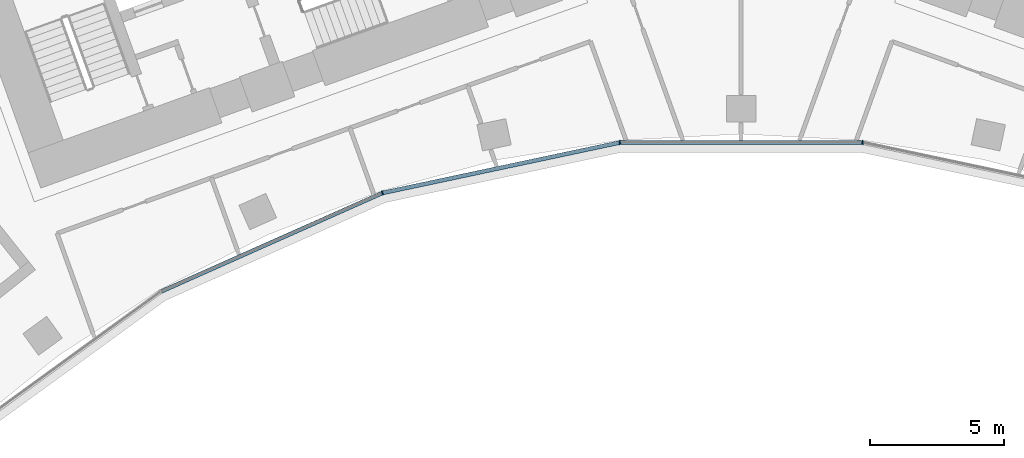
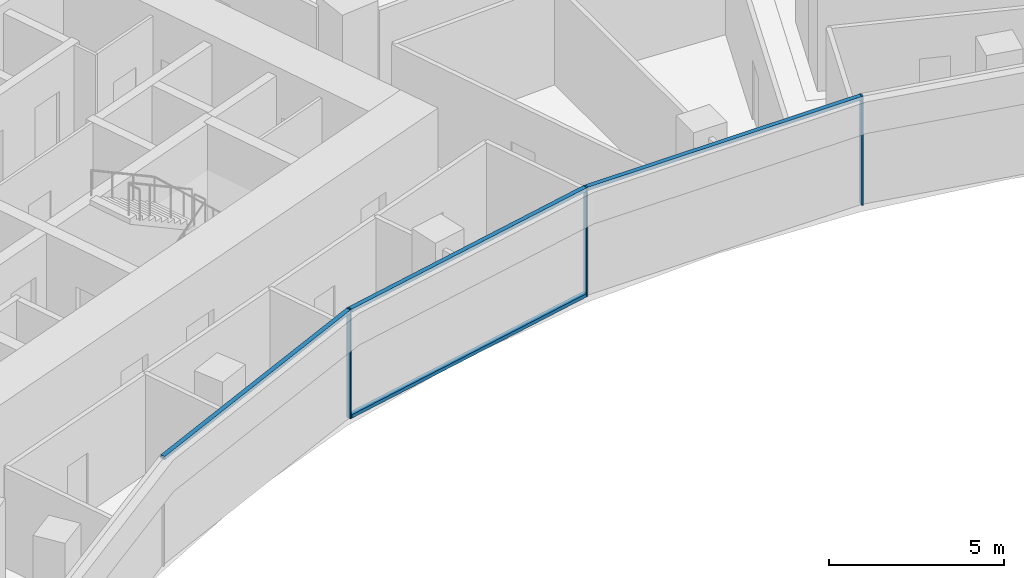
# One storey, part 5 of 22: 7 members, 1 element without a shape of its own.
"""IFC4 building model written with IfcOpenShell, lengths in metres."""

from ifc_helpers import new_model, si_unit, direction, frame, origin, origin_2d, place, context, subcontext, project, spatial, rectangle, extrude, material, layer, layer_set, material_profile, profile_set, type_object, element, aggregate, save


model = new_model("IFC4")

# Units and contexts
model_context = context("Model", 3, precision=1e-05, world=origin(), true_north=direction((0.0, 1.0)))
body_context = subcontext(model_context, "Body", "Model", "MODEL_VIEW")
ifc_project = project(units=[si_unit("LENGTHUNIT", "METRE"), si_unit("AREAUNIT", "SQUARE_METRE"), si_unit("VOLUMEUNIT", "CUBIC_METRE"), si_unit("PLANEANGLEUNIT", "RADIAN"), si_unit("MASSUNIT", "GRAM", prefix="KILO")], contexts=[model_context])

# Site, building, storey
site_placement = place(None, origin())
site = spatial("IfcSite", under=ifc_project, at=site_placement, CompositionType="ELEMENT")
building_placement = place(site_placement, origin())
building = spatial("IfcBuilding", under=site, at=building_placement, Name="Stone Belt Terrace Tower", CompositionType="ELEMENT")
storey_placement = place(building_placement, frame((0.0, 0.0, 155.39990234375)))
storey = spatial("IfcBuildingStorey", under=building, at=storey_placement, Name="L37", CompositionType="ELEMENT", Elevation=155.39990234375)

# Curtain wall, members
ifc_material = material(Name="Aluminium 6063-T6 anodised frame", Category="aluminium")
ifc_layer = layer(ifc_material, 0.14990234375)
ifc_layer_set = layer_set([ifc_layer], Name="CW-B unitised concave-face curtain wall")
curtain_wall_type = type_object("IfcCurtainWallType", Name="CW-B unitised concave-face curtain wall", PredefinedType="NOTDEFINED", material=ifc_layer_set)
curtain_wall_placement = place(storey_placement, origin())
curtain_wall = element("IfcCurtainWall", 1, at=curtain_wall_placement, inside=storey, type_object=curtain_wall_type, Name="CW-B concave face L37", PredefinedType="NOTDEFINED")
ifc_material_profile_1 = material_profile(ifc_material, rectangle(XDim=0.14990234375, YDim=0.050048828125, at=origin_2d()), Name="Aluminium 6063-T6 50x150")
ifc_profile_set_1 = profile_set([ifc_material_profile_1], Name="Aluminium 6063-T6 anodised frame")
member_type_1 = type_object("IfcMemberType", Name="CW-B mullion 50 x 150", PredefinedType="MULLION", material=ifc_profile_set_1)
member_1_placement = place(storey_placement, frame((-13.4189453125, 41.29931640625, 0.0), z_axis=(0.0, 0.0, 1.0), x_axis=(-0.309016994375, 0.951056516295, 0.0)))
member_1 = element("IfcMember", 2, at=member_1_placement, type_object=member_type_1, Name="CW-B mullion 4", PredefinedType="MULLION", context=body_context, shape_type="SweptSolid", body=[
    extrude(rectangle(XDim=0.14990234375, YDim=0.050048828125, at=origin_2d()), origin(), (0.0, 0.0, 1.0), 3.800048828125),
])
member_2_placement = place(storey_placement, frame((-4.5390625, 43.186767578125, 0.0), z_axis=(0.0, 0.0, 1.0), x_axis=(-0.104528463268, 0.994521895368, 0.0)))
member_2 = element("IfcMember", 3, at=member_2_placement, type_object=member_type_1, Name="CW-B mullion 5", PredefinedType="MULLION", context=body_context, shape_type="SweptSolid", body=[
    extrude(rectangle(XDim=0.14990234375, YDim=0.050048828125, at=origin_2d()), origin(), (0.0, 0.0, 1.0), 3.800048828125),
])
member_3_placement = place(storey_placement, frame((4.5390625, 43.186767578125, 0.0), z_axis=(0.0, 0.0, 1.0), x_axis=(0.104528463268, 0.994521895368, 0.0)))
member_3 = element("IfcMember", 4, at=member_3_placement, type_object=member_type_1, Name="CW-B mullion 6", PredefinedType="MULLION", context=body_context, shape_type="SweptSolid", body=[
    extrude(rectangle(XDim=0.14990234375, YDim=0.050048828125, at=origin_2d()), origin(), (0.0, 0.0, 1.0), 3.800048828125),
])
ifc_material_profile_2 = material_profile(ifc_material, rectangle(XDim=0.14990234375, YDim=0.1201171875, at=origin_2d()), Name="Aluminium 6063-T6 150x120")
ifc_profile_set_2 = profile_set([ifc_material_profile_2], Name="Aluminium 6063-T6 anodised frame")
member_type_2 = type_object("IfcMemberType", Name="CW-B transom 120 x 150", PredefinedType="USERDEFINED", material=ifc_profile_set_2)
member_4_placement = place(storey_placement, frame((-21.682373046875, 37.6201171875, 3.739990234375), z_axis=(0.913548853737, 0.406729015237, 0.0), x_axis=(-0.406729015237, 0.913548853737, 0.0)))
member_4 = element("IfcMember", 5, at=member_4_placement, type_object=member_type_2, Name="CW-B transom 3.1", ObjectType="TRANSOM", PredefinedType="USERDEFINED", context=body_context, shape_type="SweptSolid", body=[
    extrude(rectangle(XDim=0.14990234375, YDim=0.1201171875, at=origin_2d()), origin(), (0.0, 0.0, 1.0), 9.0126953125),
])
member_5_placement = place(storey_placement, frame((-13.386962890625, 41.30615234375, 0.06005859375), z_axis=(0.9781499003, 0.207900871914, 0.0), x_axis=(-0.207900871914, 0.9781499003, 0.0)))
member_5 = element("IfcMember", 6, at=member_5_placement, type_object=member_type_2, Name="CW-B transom 4.1", ObjectType="TRANSOM", PredefinedType="USERDEFINED", context=body_context, shape_type="SweptSolid", body=[
    extrude(rectangle(XDim=0.14990234375, YDim=0.1201171875, at=origin_2d()), origin(), (0.0, 0.0, 1.0), 9.012939453125),
])
member_6_placement = place(storey_placement, frame((-13.386962890625, 41.30615234375, 3.739990234375), z_axis=(0.9781499003, 0.207900871914, 0.0), x_axis=(-0.207900871914, 0.9781499003, 0.0)))
member_6 = element("IfcMember", 7, at=member_6_placement, type_object=member_type_2, Name="CW-B transom 4.2", ObjectType="TRANSOM", PredefinedType="USERDEFINED", context=body_context, shape_type="SweptSolid", body=[
    extrude(rectangle(XDim=0.14990234375, YDim=0.1201171875, at=origin_2d()), origin(), (0.0, 0.0, 1.0), 9.012939453125),
])
member_7_placement = place(storey_placement, frame((-4.50634765625, 43.186767578125, 3.739990234375), z_axis=(1.0, 0.0, 0.0), x_axis=(0.0, 1.0, 0.0)))
member_7 = element("IfcMember", 8, at=member_7_placement, type_object=member_type_2, Name="CW-B transom 5.1", ObjectType="TRANSOM", PredefinedType="USERDEFINED", context=body_context, shape_type="SweptSolid", body=[
    extrude(rectangle(XDim=0.14990234375, YDim=0.1201171875, at=origin_2d()), origin(), (0.0, 0.0, 1.0), 9.0126953125),
])
aggregate(curtain_wall, [member_1, member_2, member_3, member_4, member_5, member_6, member_7])

save(model, "model.ifc")
